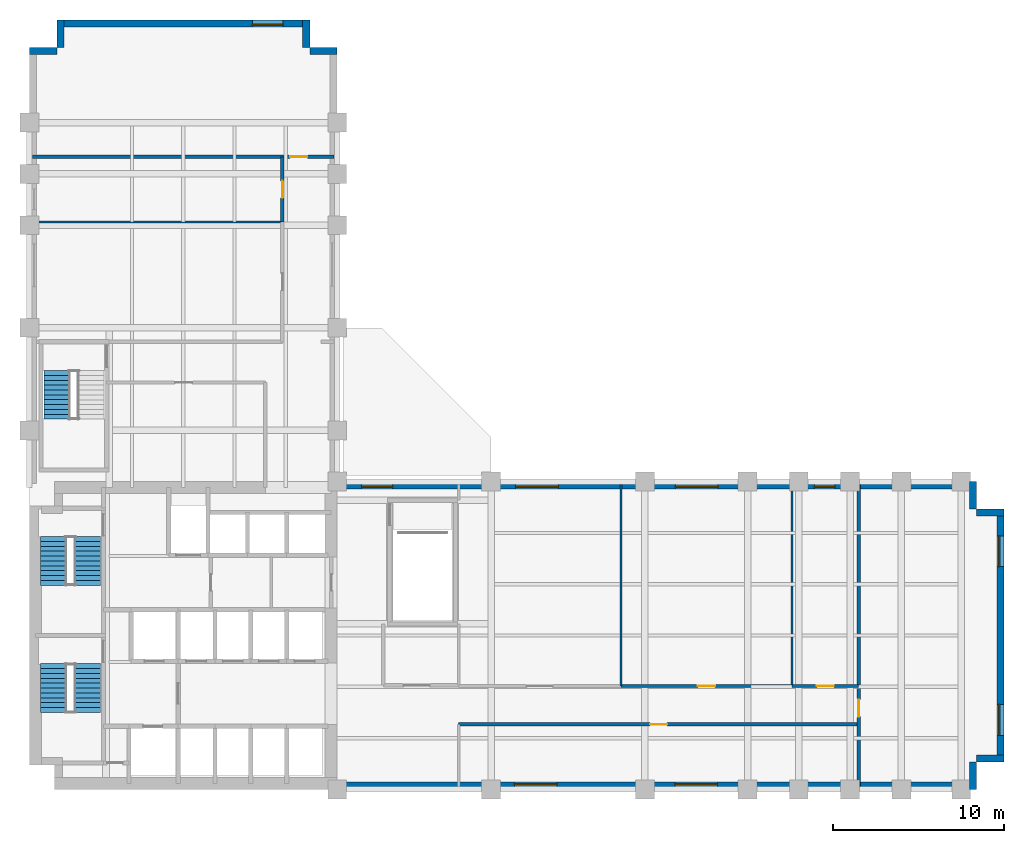
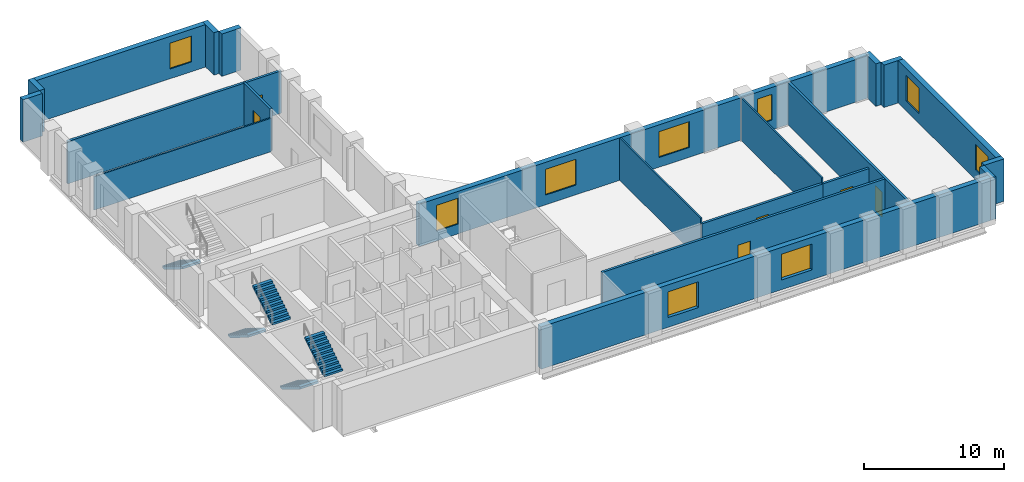
# One storey, part 5 of 7: 21 walls, 9 windows, 6 doors, 5 stair flights, 15 openings, 3 elements without a shape of their own.
"""IFC4 building model written with IfcOpenShell, lengths in metres."""

from ifc_helpers import new_model, si_unit, direction, frame, frame_2d, origin, place, context, subcontext, project, spatial, polyline, rectangle, outline, extrude, material, layer, layer_set, type_object, element, fill, aggregate, save


model = new_model("IFC4")

# Units and contexts
model_context = context("Model", 3, precision=1e-05, world=origin(), true_north=direction((0.0, 1.0)))
body_context = subcontext(model_context, "Body", "Model", "MODEL_VIEW")
ifc_project = project(units=[si_unit("LENGTHUNIT", "METRE"), si_unit("AREAUNIT", "SQUARE_METRE"), si_unit("VOLUMEUNIT", "CUBIC_METRE"), si_unit("PLANEANGLEUNIT", "RADIAN"), si_unit("MASSUNIT", "GRAM", prefix="KILO")], contexts=[model_context])

# Site, building, storey
site_placement = place(None, origin())
site = spatial("IfcSite", under=ifc_project, at=site_placement, CompositionType="ELEMENT")
building_placement = place(site_placement, origin())
building = spatial("IfcBuilding", under=site, at=building_placement, Name="Mawjdan Bourse Tower", CompositionType="ELEMENT")
storey_placement = place(building_placement, frame((0.0, 0.0, 93.300048828125)))
storey = spatial("IfcBuildingStorey", under=building, at=storey_placement, Name="L21", CompositionType="ELEMENT", Elevation=93.300048828125)

# Wall, openings, windows
ifc_material_1 = material(Name="Brick Masonry Buff", Category="masonry")
ifc_layer_1 = layer(ifc_material_1, 0.419921875)
ifc_layer_set_1 = layer_set([ifc_layer_1], Name="Brick Masonry Buff")
wall_type_1 = type_object("IfcWallType", Name="WL-BRK-BUFF-420", PredefinedType="STANDARD", material=ifc_layer_set_1)
wall_1_placement = place(storey_placement, frame((23.89990234375, 3.2099609375, 0.0), z_axis=(0.0, 0.0, 1.0), x_axis=(1.0, 0.0, 0.0)))
wall_1 = element("IfcWall", 1, at=wall_1_placement, inside=storey, type_object=wall_type_1, Name="L21 Exterior Brick Wall 1", PredefinedType="STANDARD", context=body_context, shape_type="SweptSolid", body=[
    extrude(rectangle(XDim=37.5, YDim=0.419921875, at=frame_2d((18.75, 0.0))), origin(), (0.0, 0.0, 1.0), 3.699951171875),
])
opening_1_placement = place(wall_1_placement, frame((10.46875, 0.0, 0.85009765625)))
opening_1 = element("IfcOpeningElement", 2, at=opening_1_placement, cuts=wall_1, Name="Opening W-L21-01", PredefinedType="OPENING", context=body_context, shape_type="SweptSolid", body=[
    extrude(rectangle(XDim=2.5, YDim=2.25, at=frame_2d((1.25, 1.125))), frame((0.0, 0.219970703125, 0.0), z_axis=(0.0, -1.0, 0.0), x_axis=(1.0, 0.0, 0.0)), (0.0, 0.0, 1.0), 0.43994140625),
])
opening_2_placement = place(wall_1_placement, frame((19.84375, 0.0, 0.85009765625)))
opening_2 = element("IfcOpeningElement", 3, at=opening_2_placement, cuts=wall_1, Name="Opening W-L21-02", PredefinedType="OPENING", context=body_context, shape_type="SweptSolid", body=[
    extrude(rectangle(XDim=2.5, YDim=2.25, at=frame_2d((1.25, 1.125))), frame((0.0, 0.219970703125, 0.0), z_axis=(0.0, -1.0, 0.0), x_axis=(1.0, 0.0, 0.0)), (0.0, 0.0, 1.0), 0.43994140625),
])
ifc_material_2 = material(Name="Solar-Control Clear Double Glazing", Category="glass")
window_type_1 = type_object("IfcWindowType", Name="WN-Z2-2500", PartitioningType="SINGLE_PANEL", PredefinedType="WINDOW", material=ifc_material_2)
window_1_placement = place(opening_1_placement, origin())
window_1 = element("IfcWindow", 4, at=window_1_placement, inside=storey, type_object=window_type_1, Name="L21 Deep-Set Masonry Window W-L21-01", OverallHeight=2.25, OverallWidth=2.5, PartitioningType="SINGLE_PANEL", PredefinedType="WINDOW", context=body_context, shape_type="SweptSolid", body=[
    extrude(rectangle(XDim=2.5, YDim=2.25, at=frame_2d((1.25, 1.125))), frame((0.0, 0.110107421875, 0.0), z_axis=(0.0, -1.0, 0.0), x_axis=(1.0, 0.0, 0.0)), (0.0, 0.0, 1.0), 0.06005859375),
])
fill(opening_1, window_1)
window_2_placement = place(opening_2_placement, origin())
window_2 = element("IfcWindow", 5, at=window_2_placement, inside=storey, type_object=window_type_1, Name="L21 Deep-Set Masonry Window W-L21-02", OverallHeight=2.25, OverallWidth=2.5, PartitioningType="SINGLE_PANEL", PredefinedType="WINDOW", context=body_context, shape_type="SweptSolid", body=[
    extrude(rectangle(XDim=2.5, YDim=2.25, at=frame_2d((1.25, 1.125))), frame((0.0, 0.110107421875, 0.0), z_axis=(0.0, -1.0, 0.0), x_axis=(1.0, 0.0, 0.0)), (0.0, 0.0, 1.0), 0.06005859375),
])
fill(opening_2, window_2)

# Walls
for number, where, z_axis, x_axis, name in (
    (6, (61.18994140625, 3.0, 0.0), (0.0, 0.0, 1.0), (0.0, 1.0, 0.0), "L21 Exterior Brick Wall 2"),
    (7, (61.39990234375, 4.81005859375, 0.0), (0.0, 0.0, 1.0), (1.0, 0.0, 0.0), "L21 Exterior Brick Wall 3"),
):
    element("IfcWall", number, at=place(storey_placement, frame(where, z_axis=z_axis, x_axis=x_axis)), inside=storey, type_object=wall_type_1, Name=name, PredefinedType="STANDARD", context=body_context, shape_type="SweptSolid", body=[
        extrude(rectangle(XDim=1.60009765625, YDim=0.419921875, at=frame_2d((0.800048828125, 0.0))), origin(), (0.0, 0.0, 1.0), 3.699951171875),
    ])

# Wall, openings, windows
wall_2_placement = place(storey_placement, frame((62.7900390625, 4.60009765625, 0.0), z_axis=(0.0, 0.0, 1.0), x_axis=(0.0, 1.0, 0.0)))
wall_2 = element("IfcWall", 8, at=wall_2_placement, inside=storey, type_object=wall_type_1, Name="L21 Exterior Brick Wall 4", PredefinedType="STANDARD", context=body_context, shape_type="SweptSolid", body=[
    extrude(rectangle(XDim=14.7998046875, YDim=0.419921875, at=frame_2d((7.39990234375, 0.0))), origin(), (0.0, 0.0, 1.0), 3.699951171875),
])
opening_3_placement = place(wall_2_placement, frame((1.566650390625, 0.0, 0.85009765625)))
opening_3 = element("IfcOpeningElement", 9, at=opening_3_placement, cuts=wall_2, Name="Opening W-L21-03", PredefinedType="OPENING", context=body_context, shape_type="SweptSolid", body=[
    extrude(rectangle(XDim=1.800048828125, YDim=2.25, at=frame_2d((0.89990234375, 1.125))), frame((0.0, 0.219970703125, 0.0), z_axis=(0.0, -1.0, 0.0), x_axis=(1.0, 0.0, 0.0)), (0.0, 0.0, 1.0), 0.43994140625),
])
opening_4_placement = place(wall_2_placement, frame((11.433349609375, 0.0, 0.85009765625)))
opening_4 = element("IfcOpeningElement", 10, at=opening_4_placement, cuts=wall_2, Name="Opening W-L21-04", PredefinedType="OPENING", context=body_context, shape_type="SweptSolid", body=[
    extrude(rectangle(XDim=1.800048828125, YDim=2.25, at=frame_2d((0.89990234375, 1.125))), frame((0.0, 0.219970703125, 0.0), z_axis=(0.0, -1.0, 0.0), x_axis=(1.0, 0.0, 0.0)), (0.0, 0.0, 1.0), 0.43994140625),
])
window_type_2 = type_object("IfcWindowType", Name="WN-Z2-1800", PartitioningType="SINGLE_PANEL", PredefinedType="WINDOW", material=ifc_material_2)
window_3_placement = place(opening_3_placement, origin())
window_3 = element("IfcWindow", 11, at=window_3_placement, inside=storey, type_object=window_type_2, Name="L21 Deep-Set Masonry Window W-L21-03", OverallHeight=2.25, OverallWidth=1.800048828125, PartitioningType="SINGLE_PANEL", PredefinedType="WINDOW", context=body_context, shape_type="SweptSolid", body=[
    extrude(rectangle(XDim=1.800048828125, YDim=2.25, at=frame_2d((0.89990234375, 1.125))), frame((0.0, 0.110107421875, 0.0), z_axis=(0.0, -1.0, 0.0), x_axis=(1.0, 0.0, 0.0)), (0.0, 0.0, 1.0), 0.06005859375),
])
fill(opening_3, window_3)
window_4_placement = place(opening_4_placement, origin())
window_4 = element("IfcWindow", 12, at=window_4_placement, inside=storey, type_object=window_type_2, Name="L21 Deep-Set Masonry Window W-L21-04", OverallHeight=2.25, OverallWidth=1.800048828125, PartitioningType="SINGLE_PANEL", PredefinedType="WINDOW", context=body_context, shape_type="SweptSolid", body=[
    extrude(rectangle(XDim=1.800048828125, YDim=2.25, at=frame_2d((0.89990234375, 1.125))), frame((0.0, 0.110107421875, 0.0), z_axis=(0.0, -1.0, 0.0), x_axis=(1.0, 0.0, 0.0)), (0.0, 0.0, 1.0), 0.06005859375),
])
fill(opening_4, window_4)

# Walls
for number, where, z_axis, x_axis, name in (
    (13, (63.0, 19.18994140625, 0.0), (0.0, 0.0, 1.0), (-1.0, 0.0, 0.0), "L21 Exterior Brick Wall 5"),
    (14, (61.18994140625, 19.39990234375, 0.0), (0.0, 0.0, 1.0), (0.0, 1.0, 0.0), "L21 Exterior Brick Wall 6"),
):
    element("IfcWall", number, at=place(storey_placement, frame(where, z_axis=z_axis, x_axis=x_axis)), inside=storey, type_object=wall_type_1, Name=name, PredefinedType="STANDARD", context=body_context, shape_type="SweptSolid", body=[
        extrude(rectangle(XDim=1.60009765625, YDim=0.419921875, at=frame_2d((0.800048828125, 0.0))), origin(), (0.0, 0.0, 1.0), 3.699951171875),
    ])

# Wall, openings, windows
wall_3_placement = place(storey_placement, frame((61.39990234375, 20.7900390625, 0.0), z_axis=(0.0, 0.0, 1.0), x_axis=(-1.0, 0.0, 0.0)))
wall_3 = element("IfcWall", 15, at=wall_3_placement, inside=storey, type_object=wall_type_1, Name="L21 Exterior Brick Wall 7", PredefinedType="STANDARD", context=body_context, shape_type="SweptSolid", body=[
    extrude(rectangle(XDim=37.39990234375, YDim=0.419921875, at=frame_2d((18.699951171875, 0.0))), origin(), (0.0, 0.0, 1.0), 3.699951171875),
])
opening_5_placement = place(wall_3_placement, frame((15.112548828125, 0.0, 0.85009765625)))
opening_5 = element("IfcOpeningElement", 16, at=opening_5_placement, cuts=wall_3, Name="Opening W-L21-05", PredefinedType="OPENING", context=body_context, shape_type="SweptSolid", body=[
    extrude(rectangle(XDim=2.5, YDim=2.25, at=frame_2d((1.25, 1.125))), frame((0.0, 0.219970703125, 0.0), z_axis=(0.0, -1.0, 0.0), x_axis=(1.0, 0.0, 0.0)), (0.0, 0.0, 1.0), 0.43994140625),
])
opening_6_placement = place(wall_3_placement, frame((24.46240234375, 0.0, 0.85009765625)))
opening_6 = element("IfcOpeningElement", 17, at=opening_6_placement, cuts=wall_3, Name="Opening W-L21-06", PredefinedType="OPENING", context=body_context, shape_type="SweptSolid", body=[
    extrude(rectangle(XDim=2.5, YDim=2.25, at=frame_2d((1.25, 1.125))), frame((0.0, 0.219970703125, 0.0), z_axis=(0.0, -1.0, 0.0), x_axis=(1.0, 0.0, 0.0)), (0.0, 0.0, 1.0), 0.43994140625),
])
opening_7_placement = place(wall_3_placement, frame((34.16259765625, 0.0, 0.85009765625)))
opening_7 = element("IfcOpeningElement", 18, at=opening_7_placement, cuts=wall_3, Name="Opening W-L21-07", PredefinedType="OPENING", context=body_context, shape_type="SweptSolid", body=[
    extrude(rectangle(XDim=1.800048828125, YDim=2.25, at=frame_2d((0.89990234375, 1.125))), frame((0.0, 0.219970703125, 0.0), z_axis=(0.0, -1.0, 0.0), x_axis=(1.0, 0.0, 0.0)), (0.0, 0.0, 1.0), 0.43994140625),
])
opening_8_placement = place(wall_3_placement, frame((8.2861328125, 0.0, 0.85009765625)))
opening_8 = element("IfcOpeningElement", 19, at=opening_8_placement, cuts=wall_3, Name="Opening W-L21-11", PredefinedType="OPENING", context=body_context, shape_type="SweptSolid", body=[
    extrude(rectangle(XDim=1.199951171875, YDim=2.25, at=frame_2d((0.60009765625, 1.125))), frame((0.0, 0.219970703125, 0.0), z_axis=(0.0, -1.0, 0.0), x_axis=(1.0, 0.0, 0.0)), (0.0, 0.0, 1.0), 0.43994140625),
])
window_type_3 = type_object("IfcWindowType", Name="WN-Z2-1200", PartitioningType="SINGLE_PANEL", PredefinedType="WINDOW", material=ifc_material_2)
window_5_placement = place(opening_8_placement, origin())
window_5 = element("IfcWindow", 20, at=window_5_placement, inside=storey, type_object=window_type_3, Name="L21 Deep-Set Masonry Window W-L21-11", OverallHeight=2.25, OverallWidth=1.199951171875, PartitioningType="SINGLE_PANEL", PredefinedType="WINDOW", context=body_context, shape_type="SweptSolid", body=[
    extrude(rectangle(XDim=1.199951171875, YDim=2.25, at=frame_2d((0.60009765625, 1.125))), frame((0.0, 0.110107421875, 0.0), z_axis=(0.0, -1.0, 0.0), x_axis=(1.0, 0.0, 0.0)), (0.0, 0.0, 1.0), 0.06005859375),
])
fill(opening_8, window_5)
window_6_placement = place(opening_7_placement, origin())
window_6 = element("IfcWindow", 21, at=window_6_placement, inside=storey, type_object=window_type_2, Name="L21 Deep-Set Masonry Window W-L21-07", OverallHeight=2.25, OverallWidth=1.800048828125, PartitioningType="SINGLE_PANEL", PredefinedType="WINDOW", context=body_context, shape_type="SweptSolid", body=[
    extrude(rectangle(XDim=1.800048828125, YDim=2.25, at=frame_2d((0.89990234375, 1.125))), frame((0.0, 0.110107421875, 0.0), z_axis=(0.0, -1.0, 0.0), x_axis=(1.0, 0.0, 0.0)), (0.0, 0.0, 1.0), 0.06005859375),
])
fill(opening_7, window_6)
window_7_placement = place(opening_5_placement, origin())
window_7 = element("IfcWindow", 22, at=window_7_placement, inside=storey, type_object=window_type_1, Name="L21 Deep-Set Masonry Window W-L21-05", OverallHeight=2.25, OverallWidth=2.5, PartitioningType="SINGLE_PANEL", PredefinedType="WINDOW", context=body_context, shape_type="SweptSolid", body=[
    extrude(rectangle(XDim=2.5, YDim=2.25, at=frame_2d((1.25, 1.125))), frame((0.0, 0.110107421875, 0.0), z_axis=(0.0, -1.0, 0.0), x_axis=(1.0, 0.0, 0.0)), (0.0, 0.0, 1.0), 0.06005859375),
])
fill(opening_5, window_7)
window_8_placement = place(opening_6_placement, origin())
window_8 = element("IfcWindow", 23, at=window_8_placement, inside=storey, type_object=window_type_1, Name="L21 Deep-Set Masonry Window W-L21-06", OverallHeight=2.25, OverallWidth=2.5, PartitioningType="SINGLE_PANEL", PredefinedType="WINDOW", context=body_context, shape_type="SweptSolid", body=[
    extrude(rectangle(XDim=2.5, YDim=2.25, at=frame_2d((1.25, 1.125))), frame((0.0, 0.110107421875, 0.0), z_axis=(0.0, -1.0, 0.0), x_axis=(1.0, 0.0, 0.0)), (0.0, 0.0, 1.0), 0.06005859375),
])
fill(opening_6, window_8)

# Walls
for number, where, z_axis, x_axis, name in (
    (24, (24.0, 46.18994140625, 0.0), (0.0, 0.0, 1.0), (-1.0, 0.0, 0.0), "L21 Exterior Brick Wall 9"),
    (25, (22.18994140625, 46.39990234375, 0.0), (0.0, 0.0, 1.0), (0.0, 1.0, 0.0), "L21 Exterior Brick Wall 10"),
):
    element("IfcWall", number, at=place(storey_placement, frame(where, z_axis=z_axis, x_axis=x_axis)), inside=storey, type_object=wall_type_1, Name=name, PredefinedType="STANDARD", context=body_context, shape_type="SweptSolid", body=[
        extrude(rectangle(XDim=1.60009765625, YDim=0.419921875, at=frame_2d((0.800048828125, 0.0))), origin(), (0.0, 0.0, 1.0), 3.699951171875),
    ])

# Wall, opening, window
wall_4_placement = place(storey_placement, frame((22.39990234375, 47.7900390625, 0.0), z_axis=(0.0, 0.0, 1.0), x_axis=(-1.0, 0.0, 0.0)))
wall_4 = element("IfcWall", 26, at=wall_4_placement, inside=storey, type_object=wall_type_1, Name="L21 Exterior Brick Wall 11", PredefinedType="STANDARD", context=body_context, shape_type="SweptSolid", body=[
    extrude(rectangle(XDim=14.7998046875, YDim=0.419921875, at=frame_2d((7.39990234375, 0.0))), origin(), (0.0, 0.0, 1.0), 3.699951171875),
])
opening_9_placement = place(wall_4_placement, frame((1.566650390625, 0.0, 0.85009765625)))
opening_9 = element("IfcOpeningElement", 27, at=opening_9_placement, cuts=wall_4, Name="Opening W-L21-09", PredefinedType="OPENING", context=body_context, shape_type="SweptSolid", body=[
    extrude(rectangle(XDim=1.800048828125, YDim=2.25, at=frame_2d((0.89990234375, 1.125))), frame((0.0, 0.219970703125, 0.0), z_axis=(0.0, -1.0, 0.0), x_axis=(1.0, 0.0, 0.0)), (0.0, 0.0, 1.0), 0.43994140625),
])
window_9_placement = place(opening_9_placement, origin())
window_9 = element("IfcWindow", 28, at=window_9_placement, inside=storey, type_object=window_type_2, Name="L21 Deep-Set Masonry Window W-L21-09", OverallHeight=2.25, OverallWidth=1.800048828125, PartitioningType="SINGLE_PANEL", PredefinedType="WINDOW", context=body_context, shape_type="SweptSolid", body=[
    extrude(rectangle(XDim=1.800048828125, YDim=2.25, at=frame_2d((0.89990234375, 1.125))), frame((0.0, 0.110107421875, 0.0), z_axis=(0.0, -1.0, 0.0), x_axis=(1.0, 0.0, 0.0)), (0.0, 0.0, 1.0), 0.06005859375),
])
fill(opening_9, window_9)

# Walls
for number, where, z_axis, x_axis, name in (
    (29, (7.81005859375, 48.0, 0.0), (0.0, 0.0, 1.0), (0.0, -1.0, 0.0), "L21 Exterior Brick Wall 12"),
    (30, (7.60009765625, 46.18994140625, 0.0), (0.0, 0.0, 1.0), (-1.0, 0.0, 0.0), "L21 Exterior Brick Wall 13"),
):
    element("IfcWall", number, at=place(storey_placement, frame(where, z_axis=z_axis, x_axis=x_axis)), inside=storey, type_object=wall_type_1, Name=name, PredefinedType="STANDARD", context=body_context, shape_type="SweptSolid", body=[
        extrude(rectangle(XDim=1.60009765625, YDim=0.419921875, at=frame_2d((0.800048828125, 0.0))), origin(), (0.0, 0.0, 1.0), 3.699951171875),
    ])

# Wall, opening, door
ifc_material_3 = material(Name="Gypsum Fireboard Assembly")
ifc_layer_2 = layer(ifc_material_3, 0.199951171875)
ifc_layer_set_2 = layer_set([ifc_layer_2], Name="Gypsum Fireboard Assembly")
wall_type_2 = type_object("IfcWallType", Name="WL-CMP-200", PredefinedType="PARTITIONING", material=ifc_layer_set_2)
wall_5_placement = place(storey_placement, frame((31.10009765625, 6.800048828125, 0.0), z_axis=(0.0, 0.0, 1.0), x_axis=(1.0, 0.0, 0.0)))
wall_5 = element("IfcWall", 31, at=wall_5_placement, inside=storey, type_object=wall_type_2, Name="L21 Prime Brokerage Suite Corridor Wall", PredefinedType="PARTITIONING", context=body_context, shape_type="SweptSolid", body=[
    extrude(rectangle(XDim=23.39990234375, YDim=0.199951171875, at=frame_2d((11.699951171875, 0.0))), origin(), (0.0, 0.0, 1.0), 3.68994140625),
])
opening_10_placement = place(wall_5_placement, frame((11.199951171875, 0.0, 0.0)))
opening_10 = element("IfcOpeningElement", 32, at=opening_10_placement, cuts=wall_5, Name="Opening D-L21-19", PredefinedType="OPENING", context=body_context, shape_type="SweptSolid", body=[
    extrude(rectangle(XDim=1.0, YDim=2.14990234375, at=frame_2d((0.5, 1.074951171875))), frame((0.0, 0.10986328125, 0.0), z_axis=(0.0, -1.0, 0.0), x_axis=(1.0, 0.0, 0.0)), (0.0, 0.0, 1.0), 0.219970703125),
])
ifc_material_4 = material(Name="Hardwood Acoustic Leaf", Category="wood")
door_type = type_object("IfcDoorType", Name="DR-OFC-1000", OperationType="NOTDEFINED", PredefinedType="DOOR", material=ifc_material_4)
door_1_placement = place(opening_10_placement, origin())
door_1 = element("IfcDoor", 33, at=door_1_placement, inside=storey, type_object=door_type, Name="L21 Prime Brokerage Suite Door D-L21-19", OperationType="SINGLE_SWING_RIGHT", OverallHeight=2.14990234375, OverallWidth=1.0, PredefinedType="DOOR", context=body_context, shape_type="SweptSolid", body=[
    extrude(rectangle(XDim=1.0, YDim=2.14990234375, at=frame_2d((0.5, 1.074951171875))), frame((0.0, 0.02490234375, 0.0), z_axis=(0.0, -1.0, 0.0), x_axis=(1.0, 0.0, 0.0)), (0.0, 0.0, 1.0), 0.050048828125),
])
fill(opening_10, door_1)

wall_6_placement = place(storey_placement, frame((40.60009765625, 9.050048828125, 0.0), z_axis=(0.0, 0.0, 1.0), x_axis=(1.0, 0.0, 0.0)))
wall_6 = element("IfcWall", 34, at=wall_6_placement, inside=storey, type_object=wall_type_2, Name="L21 Wealth Advisory Office Corridor Wall", PredefinedType="PARTITIONING", context=body_context, shape_type="SweptSolid", body=[
    extrude(rectangle(XDim=10.0, YDim=0.199951171875, at=frame_2d((5.0, 0.0))), origin(), (0.0, 0.0, 1.0), 3.22705078125),
])
opening_11_placement = place(wall_6_placement, frame((4.5, 0.0, 0.0)))
opening_11 = element("IfcOpeningElement", 35, at=opening_11_placement, cuts=wall_6, Name="Opening D-L21-21", PredefinedType="OPENING", context=body_context, shape_type="SweptSolid", body=[
    extrude(rectangle(XDim=1.0, YDim=2.14990234375, at=frame_2d((0.5, 1.074951171875))), frame((0.0, 0.10986328125, 0.0), z_axis=(0.0, -1.0, 0.0), x_axis=(1.0, 0.0, 0.0)), (0.0, 0.0, 1.0), 0.219970703125),
])
door_2_placement = place(opening_11_placement, origin())
door_2 = element("IfcDoor", 36, at=door_2_placement, inside=storey, type_object=door_type, Name="L21 Wealth Advisory Office Door D-L21-21", OperationType="SINGLE_SWING_LEFT", OverallHeight=2.14990234375, OverallWidth=1.0, PredefinedType="DOOR", context=body_context, shape_type="SweptSolid", body=[
    extrude(rectangle(XDim=1.0, YDim=2.14990234375, at=frame_2d((0.5, 1.074951171875))), frame((0.0, 0.02490234375, 0.0), z_axis=(0.0, -1.0, 0.0), x_axis=(1.0, 0.0, 0.0)), (0.0, 0.0, 1.0), 0.050048828125),
])
fill(opening_11, door_2)

wall_7_placement = place(storey_placement, frame((50.60009765625, 9.050048828125, 0.0), z_axis=(0.0, 0.0, 1.0), x_axis=(1.0, 0.0, 0.0)))
wall_7 = element("IfcWall", 37, at=wall_7_placement, inside=storey, type_object=wall_type_2, Name="L21 Staff Pantry Corridor Wall", PredefinedType="PARTITIONING", context=body_context, shape_type="SweptSolid", body=[
    extrude(rectangle(XDim=3.89990234375, YDim=0.199951171875, at=frame_2d((1.949951171875, 0.0))), origin(), (0.0, 0.0, 1.0), 3.22705078125),
])
opening_12_placement = place(wall_7_placement, frame((1.449951171875, 0.0, 0.0)))
opening_12 = element("IfcOpeningElement", 38, at=opening_12_placement, cuts=wall_7, Name="Opening D-L21-22", PredefinedType="OPENING", context=body_context, shape_type="SweptSolid", body=[
    extrude(rectangle(XDim=1.0, YDim=2.14990234375, at=frame_2d((0.5, 1.074951171875))), frame((0.0, 0.10986328125, 0.0), z_axis=(0.0, -1.0, 0.0), x_axis=(1.0, 0.0, 0.0)), (0.0, 0.0, 1.0), 0.219970703125),
])
door_3_placement = place(opening_12_placement, origin())
door_3 = element("IfcDoor", 39, at=door_3_placement, inside=storey, type_object=door_type, Name="L21 Staff Pantry Door D-L21-22", OperationType="SINGLE_SWING_RIGHT", OverallHeight=2.14990234375, OverallWidth=1.0, PredefinedType="DOOR", context=body_context, shape_type="SweptSolid", body=[
    extrude(rectangle(XDim=1.0, YDim=2.14990234375, at=frame_2d((0.5, 1.074951171875))), frame((0.0, 0.02490234375, 0.0), z_axis=(0.0, -1.0, 0.0), x_axis=(1.0, 0.0, 0.0)), (0.0, 0.0, 1.0), 0.050048828125),
])
fill(opening_12, door_3)

wall_8_placement = place(storey_placement, frame((54.5, 3.179931640625, 0.0), z_axis=(0.0, 0.0, 1.0), x_axis=(0.0, 1.0, 0.0)))
wall_8 = element("IfcWall", 40, at=wall_8_placement, inside=storey, type_object=wall_type_2, Name="L21 East Tip Full Cross Wall", PredefinedType="PARTITIONING", context=body_context, shape_type="SweptSolid", body=[
    extrude(rectangle(XDim=17.64013671875, YDim=0.199951171875, at=frame_2d((8.820068359375, 0.0))), origin(), (0.0, 0.0, 1.0), 3.68994140625),
])
opening_13_placement = place(wall_8_placement, frame((4.074951171875, 0.0, 0.0)))
opening_13 = element("IfcOpeningElement", 41, at=opening_13_placement, cuts=wall_8, Name="Opening D-L21-23", PredefinedType="OPENING", context=body_context, shape_type="SweptSolid", body=[
    extrude(rectangle(XDim=1.0, YDim=2.14990234375, at=frame_2d((0.5, 1.074951171875))), frame((0.0, 0.10986328125, 0.0), z_axis=(0.0, -1.0, 0.0), x_axis=(1.0, 0.0, 0.0)), (0.0, 0.0, 1.0), 0.219970703125),
])
door_4_placement = place(opening_13_placement, origin())
door_4 = element("IfcDoor", 42, at=door_4_placement, inside=storey, type_object=door_type, Name="L21 East Tip Hall Door D-L21-23", OperationType="SINGLE_SWING_LEFT", OverallHeight=2.14990234375, OverallWidth=1.0, PredefinedType="DOOR", context=body_context, shape_type="SweptSolid", body=[
    extrude(rectangle(XDim=1.0, YDim=2.14990234375, at=frame_2d((0.5, 1.074951171875))), frame((0.0, 0.02490234375, 0.0), z_axis=(0.0, -1.0, 0.0), x_axis=(1.0, 0.0, 0.0)), (0.0, 0.0, 1.0), 0.050048828125),
])
fill(opening_13, door_4)

wall_9_placement = place(storey_placement, frame((20.800048828125, 36.179931640625, 0.0), z_axis=(0.0, 0.0, 1.0), x_axis=(0.0, 1.0, 0.0)))
wall_9 = element("IfcWall", 43, at=wall_9_placement, inside=storey, type_object=wall_type_2, Name="L21 Conference Room Corridor Wall", PredefinedType="PARTITIONING", context=body_context, shape_type="SweptSolid", body=[
    extrude(rectangle(XDim=3.820068359375, YDim=0.199951171875, at=frame_2d((1.91015625, 0.0))), origin(), (0.0, 0.0, 1.0), 3.68994140625),
])
opening_14_placement = place(wall_9_placement, frame((1.409912109375, 0.0, 0.0)))
opening_14 = element("IfcOpeningElement", 44, at=opening_14_placement, cuts=wall_9, Name="Opening D-L21-26", PredefinedType="OPENING", context=body_context, shape_type="SweptSolid", body=[
    extrude(rectangle(XDim=1.0, YDim=2.14990234375, at=frame_2d((0.5, 1.074951171875))), frame((0.0, 0.10986328125, 0.0), z_axis=(0.0, -1.0, 0.0), x_axis=(1.0, 0.0, 0.0)), (0.0, 0.0, 1.0), 0.219970703125),
])
door_5_placement = place(opening_14_placement, origin())
door_5 = element("IfcDoor", 45, at=door_5_placement, inside=storey, type_object=door_type, Name="L21 Conference Room Door D-L21-26", OperationType="SINGLE_SWING_RIGHT", OverallHeight=2.14990234375, OverallWidth=1.0, PredefinedType="DOOR", context=body_context, shape_type="SweptSolid", body=[
    extrude(rectangle(XDim=1.0, YDim=2.14990234375, at=frame_2d((0.5, 1.074951171875))), frame((0.0, 0.02490234375, 0.0), z_axis=(0.0, -1.0, 0.0), x_axis=(1.0, 0.0, 0.0)), (0.0, 0.0, 1.0), 0.050048828125),
])
fill(opening_14, door_5)

wall_10_placement = place(storey_placement, frame((6.179931640625, 40.0, 0.0), z_axis=(0.0, 0.0, 1.0), x_axis=(1.0, 0.0, 0.0)))
wall_10 = element("IfcWall", 46, at=wall_10_placement, inside=storey, type_object=wall_type_2, Name="L21 North Tip Full Cross Wall", PredefinedType="PARTITIONING", context=body_context, shape_type="SweptSolid", body=[
    extrude(rectangle(XDim=17.64013671875, YDim=0.199951171875, at=frame_2d((8.820068359375, 0.0))), origin(), (0.0, 0.0, 1.0), 3.68994140625),
])
opening_15_placement = place(wall_10_placement, frame((15.074951171875, 0.0, 0.0)))
opening_15 = element("IfcOpeningElement", 47, at=opening_15_placement, cuts=wall_10, Name="Opening D-L21-27", PredefinedType="OPENING", context=body_context, shape_type="SweptSolid", body=[
    extrude(rectangle(XDim=1.0, YDim=2.14990234375, at=frame_2d((0.5, 1.074951171875))), frame((0.0, 0.10986328125, 0.0), z_axis=(0.0, -1.0, 0.0), x_axis=(1.0, 0.0, 0.0)), (0.0, 0.0, 1.0), 0.219970703125),
])
door_6_placement = place(opening_15_placement, origin())
door_6 = element("IfcDoor", 48, at=door_6_placement, inside=storey, type_object=door_type, Name="L21 North Tip Suite Door D-L21-27", OperationType="SINGLE_SWING_LEFT", OverallHeight=2.14990234375, OverallWidth=1.0, PredefinedType="DOOR", context=body_context, shape_type="SweptSolid", body=[
    extrude(rectangle(XDim=1.0, YDim=2.14990234375, at=frame_2d((0.5, 1.074951171875))), frame((0.0, 0.02490234375, 0.0), z_axis=(0.0, -1.0, 0.0), x_axis=(1.0, 0.0, 0.0)), (0.0, 0.0, 1.0), 0.050048828125),
])
fill(opening_15, door_6)

# Walls
ifc_material_5 = material(Name="Gypsum Partition")
ifc_layer_3 = layer(ifc_material_5, 0.125)
ifc_layer_set_3 = layer_set([ifc_layer_3], Name="Gypsum Partition")
wall_type_3 = type_object("IfcWallType", Name="WL-PRT-125", PredefinedType="PARTITIONING", material=ifc_layer_set_3)
for number, where, z_axis, x_axis, name in (
    (49, (40.60009765625, 9.050048828125, 0.0), (0.0, 0.0, 1.0), (0.0, 1.0, 0.0), "L21 Wealth Advisory Office Partition"),
    (50, (50.60009765625, 9.050048828125, 0.0), (0.0, 0.0, 1.0), (0.0, 1.0, 0.0), "L21 Staff Pantry Partition"),
):
    element("IfcWall", number, at=place(storey_placement, frame(where, z_axis=z_axis, x_axis=x_axis)), inside=storey, type_object=wall_type_3, Name=name, PredefinedType="PARTITIONING", context=body_context, shape_type="SweptSolid", body=[
        extrude(rectangle(XDim=11.77001953125, YDim=0.125, at=frame_2d((5.885009765625, 0.0))), origin(), (0.0, 0.0, 1.0), 3.68994140625),
    ])
wall_11_placement = place(storey_placement, frame((6.179931640625, 36.179931640625, 0.0), z_axis=(0.0, 0.0, 1.0), x_axis=(1.0, 0.0, 0.0)))
element("IfcWall", 51, at=wall_11_placement, inside=storey, type_object=wall_type_3, Name="L21 Conference Room Partition", PredefinedType="PARTITIONING", context=body_context, shape_type="SweptSolid", body=[
    extrude(rectangle(XDim=14.6201171875, YDim=0.125, at=frame_2d((7.31005859375, 0.0))), origin(), (0.0, 0.0, 1.0), 2.9169921875),
])

# Stair, stair flights
ifc_material_6 = material(Name="Concrete C50/60", Category="concrete")
stair_type = type_object("IfcStairType", Name="STR-CORE-1500", PredefinedType="HALF_TURN_STAIR", material=ifc_material_6)
stair_1_placement = place(storey_placement, origin())
stair_1 = element("IfcStair", 52, at=stair_1_placement, inside=storey, type_object=stair_type, Name="L21 Exit Stair 1 (Core South-West)", PredefinedType="HALF_TURN_STAIR")
stair_flight_type = type_object("IfcStairFlightType", Name="SFL-RC-1500", PredefinedType="STRAIGHT", material=ifc_material_6)
stair_flight_1_placement = place(storey_placement, frame((7.389892578125, 10.35009765625, 0.0), z_axis=(0.0, 0.0, 1.0), x_axis=(0.0, -1.0, 0.0)))
stair_flight_1 = element("IfcStairFlight", 53, at=stair_flight_1_placement, type_object=stair_flight_type, Name="ST1-L21 flight 1", NumberOfRisers=11, NumberOfTreads=10, PredefinedType="STRAIGHT", RiserHeight=0.177273, TreadLength=0.285, context=body_context, shape_type="SweptSolid", body=[
    extrude(outline(polyline([(0.0, 0.0), (0.0, 0.17724609375), (0.284912109375, 0.17724609375), (0.284912109375, 0.3544921875), (0.570068359375, 0.3544921875), (0.570068359375, 0.53173828125), (0.85498046875, 0.53173828125), (0.85498046875, 0.708984375), (1.139892578125, 0.708984375), (1.139892578125, 0.886474609375), (1.425048828125, 0.886474609375), (1.425048828125, 1.063720703125), (1.7099609375, 1.063720703125), (1.7099609375, 1.240966796875), (1.9951171875, 1.240966796875), (1.9951171875, 1.418212890625), (2.280029296875, 1.418212890625), (2.280029296875, 1.595458984375), (2.56494140625, 1.595458984375), (2.56494140625, 1.772705078125), (2.85009765625, 1.772705078125), (2.85009765625, 1.949951171875), (2.85009765625, 1.58447265625), (0.302734375, 0.0), (0.0, 0.0)])), frame((0.0, 0.75, 0.0), z_axis=(0.0, -1.0, 0.0), x_axis=(1.0, 0.0, 0.0)), (0.0, 0.0, 1.0), 1.5),
])
stair_flight_2_placement = place(storey_placement, frame((9.409912109375, 7.5, 1.949951171875), z_axis=(0.0, 0.0, 1.0), x_axis=(0.0, 1.0, 0.0)))
stair_flight_2 = element("IfcStairFlight", 54, at=stair_flight_2_placement, type_object=stair_flight_type, Name="ST1-L21 flight 2", NumberOfRisers=11, NumberOfTreads=10, PredefinedType="STRAIGHT", RiserHeight=0.177273, TreadLength=0.285, context=body_context, shape_type="SweptSolid", body=[
    extrude(outline(polyline([(0.0, 0.0), (0.0, 0.17724609375), (0.284912109375, 0.17724609375), (0.284912109375, 0.3544921875), (0.570068359375, 0.3544921875), (0.570068359375, 0.53173828125), (0.85498046875, 0.53173828125), (0.85498046875, 0.708984375), (1.139892578125, 0.708984375), (1.139892578125, 0.886474609375), (1.425048828125, 0.886474609375), (1.425048828125, 1.063720703125), (1.7099609375, 1.063720703125), (1.7099609375, 1.240966796875), (1.9951171875, 1.240966796875), (1.9951171875, 1.418212890625), (2.280029296875, 1.418212890625), (2.280029296875, 1.595458984375), (2.56494140625, 1.595458984375), (2.56494140625, 1.772705078125), (2.85009765625, 1.772705078125), (2.85009765625, 1.949951171875), (2.85009765625, 1.58447265625), (0.302734375, 0.0), (0.0, 0.0)])), frame((0.0, 0.75, 0.0), z_axis=(0.0, -1.0, 0.0), x_axis=(1.0, 0.0, 0.0)), (0.0, 0.0, 1.0), 1.5),
])
aggregate(stair_1, [stair_flight_1, stair_flight_2])

stair_2_placement = place(storey_placement, origin())
stair_2 = element("IfcStair", 55, at=stair_2_placement, inside=storey, type_object=stair_type, Name="L21 Exit Stair 2 (Core North-West)", PredefinedType="HALF_TURN_STAIR")
stair_flight_3_placement = place(storey_placement, frame((7.389892578125, 17.7900390625, 0.0), z_axis=(0.0, 0.0, 1.0), x_axis=(0.0, -1.0, 0.0)))
stair_flight_3 = element("IfcStairFlight", 56, at=stair_flight_3_placement, type_object=stair_flight_type, Name="ST2-L21 flight 1", NumberOfRisers=11, NumberOfTreads=10, PredefinedType="STRAIGHT", RiserHeight=0.177273, TreadLength=0.285, context=body_context, shape_type="SweptSolid", body=[
    extrude(outline(polyline([(0.0, 0.0), (0.0, 0.17724609375), (0.284912109375, 0.17724609375), (0.284912109375, 0.3544921875), (0.570068359375, 0.3544921875), (0.570068359375, 0.53173828125), (0.85498046875, 0.53173828125), (0.85498046875, 0.708984375), (1.139892578125, 0.708984375), (1.139892578125, 0.886474609375), (1.425048828125, 0.886474609375), (1.425048828125, 1.063720703125), (1.7099609375, 1.063720703125), (1.7099609375, 1.240966796875), (1.9951171875, 1.240966796875), (1.9951171875, 1.418212890625), (2.280029296875, 1.418212890625), (2.280029296875, 1.595458984375), (2.56494140625, 1.595458984375), (2.56494140625, 1.772705078125), (2.85009765625, 1.772705078125), (2.85009765625, 1.949951171875), (2.85009765625, 1.58447265625), (0.302734375, 0.0), (0.0, 0.0)])), frame((0.0, 0.75, 0.0), z_axis=(0.0, -1.0, 0.0), x_axis=(1.0, 0.0, 0.0)), (0.0, 0.0, 1.0), 1.5),
])
stair_flight_4_placement = place(storey_placement, frame((9.409912109375, 14.93994140625, 1.949951171875), z_axis=(0.0, 0.0, 1.0), x_axis=(0.0, 1.0, 0.0)))
stair_flight_4 = element("IfcStairFlight", 57, at=stair_flight_4_placement, type_object=stair_flight_type, Name="ST2-L21 flight 2", NumberOfRisers=11, NumberOfTreads=10, PredefinedType="STRAIGHT", RiserHeight=0.177273, TreadLength=0.285, context=body_context, shape_type="SweptSolid", body=[
    extrude(outline(polyline([(0.0, 0.0), (0.0, 0.17724609375), (0.284912109375, 0.17724609375), (0.284912109375, 0.3544921875), (0.570068359375, 0.3544921875), (0.570068359375, 0.53173828125), (0.85498046875, 0.53173828125), (0.85498046875, 0.708984375), (1.139892578125, 0.708984375), (1.139892578125, 0.886474609375), (1.425048828125, 0.886474609375), (1.425048828125, 1.063720703125), (1.7099609375, 1.063720703125), (1.7099609375, 1.240966796875), (1.9951171875, 1.240966796875), (1.9951171875, 1.418212890625), (2.280029296875, 1.418212890625), (2.280029296875, 1.595458984375), (2.56494140625, 1.595458984375), (2.56494140625, 1.772705078125), (2.85009765625, 1.772705078125), (2.85009765625, 1.949951171875), (2.85009765625, 1.58447265625), (0.302734375, 0.0), (0.0, 0.0)])), frame((0.0, 0.75, 0.0), z_axis=(0.0, -1.0, 0.0), x_axis=(1.0, 0.0, 0.0)), (0.0, 0.0, 1.0), 1.5),
])
aggregate(stair_2, [stair_flight_3, stair_flight_4])

# Stair, stair flight
stair_3_placement = place(storey_placement, origin())
stair_3 = element("IfcStair", 58, at=stair_3_placement, inside=storey, type_object=stair_type, Name="L21 Exit Stair 3 (North Wing)", PredefinedType="HALF_TURN_STAIR")
stair_flight_5_placement = place(storey_placement, frame((7.590087890625, 27.5, 0.0), z_axis=(0.0, 0.0, 1.0), x_axis=(0.0, -1.0, 0.0)))
stair_flight_5 = element("IfcStairFlight", 59, at=stair_flight_5_placement, type_object=stair_flight_type, Name="ST3-L21 flight 1", NumberOfRisers=11, NumberOfTreads=10, PredefinedType="STRAIGHT", RiserHeight=0.177273, TreadLength=0.285, context=body_context, shape_type="SweptSolid", body=[
    extrude(outline(polyline([(0.0, 0.0), (0.0, 0.17724609375), (0.284912109375, 0.17724609375), (0.284912109375, 0.3544921875), (0.570068359375, 0.3544921875), (0.570068359375, 0.53173828125), (0.85498046875, 0.53173828125), (0.85498046875, 0.708984375), (1.139892578125, 0.708984375), (1.139892578125, 0.886474609375), (1.425048828125, 0.886474609375), (1.425048828125, 1.063720703125), (1.7099609375, 1.063720703125), (1.7099609375, 1.240966796875), (1.9951171875, 1.240966796875), (1.9951171875, 1.418212890625), (2.280029296875, 1.418212890625), (2.280029296875, 1.595458984375), (2.56494140625, 1.595458984375), (2.56494140625, 1.772705078125), (2.85009765625, 1.772705078125), (2.85009765625, 1.949951171875), (2.85009765625, 1.58447265625), (0.302734375, 0.0), (0.0, 0.0)])), frame((0.0, 0.75, 0.0), z_axis=(0.0, -1.0, 0.0), x_axis=(1.0, 0.0, 0.0)), (0.0, 0.0, 1.0), 1.5),
])
aggregate(stair_3, [stair_flight_5])

save(model, "model.ifc")
